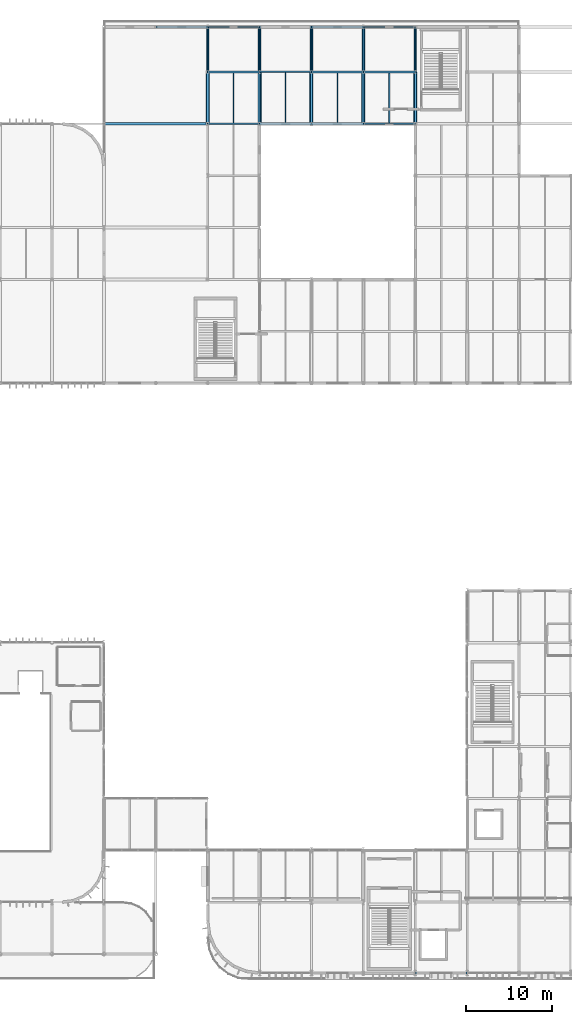
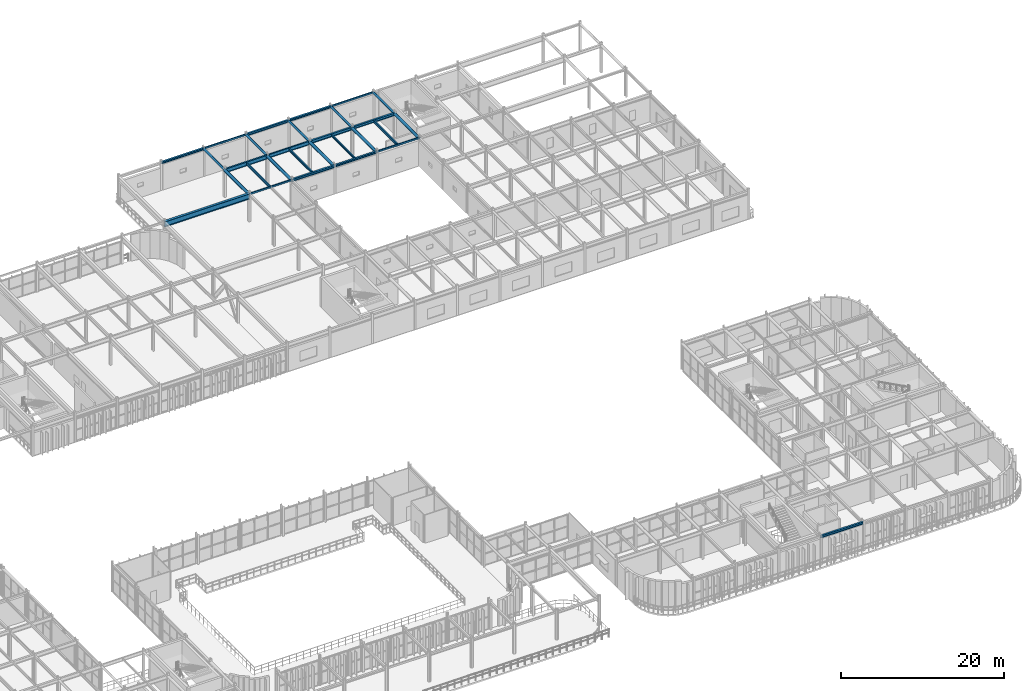
# One storey, part 50 of 96: 29 beams.
"""IFC4 building model written with IfcOpenShell, lengths in metres."""

from ifc_helpers import new_model, si_unit, direction, frame, origin, origin_2d, place, context, subcontext, project, spatial, hollow_rectangle, hollow_circle, i_section, extrude, material, material_profile, profile_set, type_object, element, save


model = new_model("IFC4")

# Units and contexts
model_context = context("Model", 3, precision=1e-05, world=origin(), true_north=direction((0.0, 1.0)))
body_context = subcontext(model_context, "Body", "Model", "MODEL_VIEW")
ifc_project = project(units=[si_unit("LENGTHUNIT", "METRE"), si_unit("AREAUNIT", "SQUARE_METRE"), si_unit("VOLUMEUNIT", "CUBIC_METRE"), si_unit("PLANEANGLEUNIT", "RADIAN"), si_unit("MASSUNIT", "GRAM", prefix="KILO")], contexts=[model_context])

# Site, building, storey
site_placement = place(None, origin())
site = spatial("IfcSite", under=ifc_project, at=site_placement, CompositionType="ELEMENT")
building_placement = place(site_placement, origin())
building = spatial("IfcBuilding", under=site, at=building_placement, Name="Varnakota Square Police Headquarters", CompositionType="ELEMENT")
storey_placement = place(building_placement, frame((0.0, 0.0, 4.800048828125)))
storey = spatial("IfcBuildingStorey", under=building, at=storey_placement, Name="L01", CompositionType="ELEMENT", Elevation=4.800048828125)

# Beams
ifc_material = material(Name="Steel IS 2062 Grade 350", Category="steel")
ifc_material_profile_1 = material_profile(ifc_material, hollow_circle(Radius=0.161865234375, WallThickness=0.0126953125, at=origin_2d()), Name="CHS 323.9x12.7")
ifc_profile_set_1 = profile_set([ifc_material_profile_1], Name="Steel IS 2062 Grade 350")
beam_type_1 = type_object("IfcBeamType", Name="BM-ARC-CHS324", PredefinedType="BEAM", material=ifc_profile_set_1)
for number, where, z_axis, x_axis, name in (
    (1, (108.0, 105.0, 4.0380859375), (0.0, 1.0, 0.0), (-1.0, 0.0, 0.0), "BMG-L01-1685"),
    (2, (114.0, 105.0, 4.0380859375), (0.0, 1.0, 0.0), (-1.0, 0.0, 0.0), "BMG-L01-1694"),
    (3, (120.0, 105.0, 4.0380859375), (0.0, 1.0, 0.0), (-1.0, 0.0, 0.0), "BMG-L01-1700"),
    (4, (126.0, 105.0, 4.0380859375), (0.0, 1.0, 0.0), (-1.0, 0.0, 0.0), "BMG-L01-1706"),
    (5, (132.0, 105.0, 4.0380859375), (0.0, 1.0, 0.0), (-1.0, 0.0, 0.0), "BMG-L01-1715"),
):
    element("IfcBeam", number, at=place(storey_placement, frame(where, z_axis=z_axis, x_axis=x_axis)), inside=storey, type_object=beam_type_1, Name=name, PredefinedType="BEAM", context=body_context, shape_type="SweptSolid", body=[
        extrude(hollow_circle(Radius=0.161865234375, WallThickness=0.0126953125, at=origin_2d()), origin(), (0.0, 0.0, 1.0), 5.199951171875),
    ])
ifc_material_profile_2 = material_profile(ifc_material, hollow_circle(Radius=0.203125, WallThickness=0.01611328125, at=origin_2d()), Name="CHS 406.4x16.0")
ifc_profile_set_2 = profile_set([ifc_material_profile_2], Name="Steel IS 2062 Grade 350")
beam_type_2 = type_object("IfcBeamType", Name="BM-ARC-CHS406", PredefinedType="BEAM", material=ifc_profile_set_2)
for number, where, z_axis, x_axis, name in (
    (6, (108.0, 99.0, 3.996826171875), (0.0, 1.0, 0.0), (-1.0, 0.0, 0.0), "BMG-L01-1684"),
    (7, (114.0, 99.0, 3.996826171875), (0.0, 1.0, 0.0), (-1.0, 0.0, 0.0), "BMG-L01-1693"),
    (8, (120.0, 99.0, 3.996826171875), (0.0, 1.0, 0.0), (-1.0, 0.0, 0.0), "BMG-L01-1699"),
    (9, (126.0, 99.0, 3.996826171875), (0.0, 1.0, 0.0), (-1.0, 0.0, 0.0), "BMG-L01-1705"),
    (10, (132.0, 99.0, 3.996826171875), (0.0, 1.0, 0.0), (-1.0, 0.0, 0.0), "BMG-L01-1714"),
):
    element("IfcBeam", number, at=place(storey_placement, frame(where, z_axis=z_axis, x_axis=x_axis)), inside=storey, type_object=beam_type_2, Name=name, PredefinedType="BEAM", context=body_context, shape_type="SweptSolid", body=[
        extrude(hollow_circle(Radius=0.203125, WallThickness=0.01611328125, at=origin_2d()), origin(), (0.0, 0.0, 1.0), 6.0),
    ])
ifc_material_profile_3 = material_profile(ifc_material, i_section(OverallWidth=0.320068359375, OverallDepth=0.800048828125, WebThickness=0.01611328125, FlangeThickness=0.028076171875, at=origin_2d()), Name="BPG 800x320")
ifc_profile_set_3 = profile_set([ifc_material_profile_3], Name="Steel IS 2062 Grade 350")
beam_type_3 = type_object("IfcBeamType", Name="BM-BPG800", PredefinedType="BEAM", material=ifc_profile_set_3)
beam_1_placement = place(storey_placement, frame((96.0, 99.0, 3.800048828125), z_axis=(1.0, 0.0, 0.0), x_axis=(0.0, 1.0, 0.0)))
element("IfcBeam", 11, at=beam_1_placement, inside=storey, type_object=beam_type_3, Name="BMG-L01-1501", PredefinedType="BEAM", context=body_context, shape_type="SweptSolid", body=[
    extrude(i_section(OverallWidth=0.320068359375, OverallDepth=0.800048828125, WebThickness=0.01611328125, FlangeThickness=0.028076171875, at=origin_2d()), origin(), (0.0, 0.0, 1.0), 12.0),
])
ifc_material_profile_4 = material_profile(ifc_material, hollow_rectangle(XDim=0.14990234375, YDim=0.25, WallThickness=0.010009765625, InnerFilletRadius=0.010009765625, OuterFilletRadius=0.02001953125, at=origin_2d()), Name="RHS 250x150x10")
ifc_profile_set_4 = profile_set([ifc_material_profile_4], Name="Steel IS 2062 Grade 350")
beam_type_4 = type_object("IfcBeamType", Name="BM-CBEAM-RHS250", PredefinedType="BEAM", material=ifc_profile_set_4)
for number, where, z_axis, x_axis, name in (
    (12, (108.0, 99.0, 4.074951171875), (1.0, 0.0, 0.0), (0.0, 1.0, 0.0), "BMG-L01-1502"),
    (13, (126.0, 99.0, 4.074951171875), (1.0, 0.0, 0.0), (0.0, 1.0, 0.0), "BMG-L01-1505"),
    (14, (108.0, 110.199951171875, 4.074951171875), (1.0, 0.0, 0.0), (0.0, 1.0, 0.0), "BMG-L01-1529"),
    (15, (126.0, 110.199951171875, 4.074951171875), (1.0, 0.0, 0.0), (0.0, 1.0, 0.0), "BMG-L01-1532"),
):
    element("IfcBeam", number, at=place(storey_placement, frame(where, z_axis=z_axis, x_axis=x_axis)), inside=storey, type_object=beam_type_4, Name=name, PredefinedType="BEAM", context=body_context, shape_type="SweptSolid", body=[
        extrude(hollow_rectangle(XDim=0.14990234375, YDim=0.25, WallThickness=0.010009765625, InnerFilletRadius=0.010009765625, OuterFilletRadius=0.02001953125, at=origin_2d()), origin(), (0.0, 0.0, 1.0), 6.0),
    ])
ifc_material_profile_5 = material_profile(ifc_material, i_section(OverallWidth=0.25, OverallDepth=0.300048828125, WebThickness=0.009521484375, FlangeThickness=0.010498046875, FilletRadius=0.011962890625, at=origin_2d()), Name="ISHB 300")
ifc_profile_set_5 = profile_set([ifc_material_profile_5], Name="Steel IS 2062 Grade 350")
beam_type_5 = type_object("IfcBeamType", Name="BM-ISHB300", PredefinedType="BEAM", material=ifc_profile_set_5)
for number, where, z_axis, x_axis, name in (
    (16, (120.0, 99.0, 4.050048828125), (1.0, 0.0, 0.0), (0.0, 1.0, 0.0), "BMG-L01-1504"),
    (17, (102.0, 110.199951171875, 4.050048828125), (1.0, 0.0, 0.0), (0.0, 1.0, 0.0), "BMG-L01-1528"),
    (18, (120.0, 110.199951171875, 4.050048828125), (1.0, 0.0, 0.0), (0.0, 1.0, 0.0), "BMG-L01-1531"),
):
    element("IfcBeam", number, at=place(storey_placement, frame(where, z_axis=z_axis, x_axis=x_axis)), inside=storey, type_object=beam_type_5, Name=name, PredefinedType="BEAM", context=body_context, shape_type="SweptSolid", body=[
        extrude(i_section(OverallWidth=0.25, OverallDepth=0.300048828125, WebThickness=0.009521484375, FlangeThickness=0.010498046875, FilletRadius=0.011962890625, at=origin_2d()), origin(), (0.0, 0.0, 1.0), 6.0),
    ])
ifc_material_profile_6 = material_profile(ifc_material, i_section(OverallWidth=0.25, OverallDepth=0.35009765625, WebThickness=0.010009765625, FlangeThickness=0.01171875, FilletRadius=0.011962890625, at=origin_2d()), Name="ISHB 350")
ifc_profile_set_6 = profile_set([ifc_material_profile_6], Name="Steel IS 2062 Grade 350")
beam_type_6 = type_object("IfcBeamType", Name="BM-ISHB350", PredefinedType="BEAM", material=ifc_profile_set_6)
for number, where, z_axis, x_axis, name in (
    (19, (132.0, 0.800048828125, 4.02490234375), (1.0, 0.0, 0.0), (0.0, 1.0, 0.0), "BMG-L01-1310"),
    (20, (114.0, 99.0, 4.02490234375), (1.0, 0.0, 0.0), (0.0, 1.0, 0.0), "BMG-L01-1503"),
    (21, (114.0, 110.199951171875, 4.02490234375), (1.0, 0.0, 0.0), (0.0, 1.0, 0.0), "BMG-L01-1530"),
):
    element("IfcBeam", number, at=place(storey_placement, frame(where, z_axis=z_axis, x_axis=x_axis)), inside=storey, type_object=beam_type_6, Name=name, PredefinedType="BEAM", context=body_context, shape_type="SweptSolid", body=[
        extrude(i_section(OverallWidth=0.25, OverallDepth=0.35009765625, WebThickness=0.010009765625, FlangeThickness=0.01171875, FilletRadius=0.011962890625, at=origin_2d()), origin(), (0.0, 0.0, 1.0), 6.0),
    ])
ifc_material_profile_7 = material_profile(ifc_material, i_section(OverallWidth=0.25, OverallDepth=0.39990234375, WebThickness=0.010498046875, FlangeThickness=0.0126953125, FilletRadius=0.013916015625, at=origin_2d()), Name="ISHB 400")
ifc_profile_set_7 = profile_set([ifc_material_profile_7], Name="Steel IS 2062 Grade 350")
beam_type_7 = type_object("IfcBeamType", Name="BM-ISHB400", PredefinedType="BEAM", material=ifc_profile_set_7)
beam_2_placement = place(storey_placement, frame((126.0, 105.0, 4.0), z_axis=(1.0, 0.0, 0.0), x_axis=(0.0, 1.0, 0.0)))
element("IfcBeam", 22, at=beam_2_placement, inside=storey, type_object=beam_type_7, Name="BMG-L01-1517", PredefinedType="BEAM", context=body_context, shape_type="SweptSolid", body=[
    extrude(i_section(OverallWidth=0.25, OverallDepth=0.39990234375, WebThickness=0.010498046875, FlangeThickness=0.0126953125, FilletRadius=0.013916015625, at=origin_2d()), origin(), (0.0, 0.0, 1.0), 6.0),
])
ifc_material_profile_8 = material_profile(ifc_material, i_section(OverallWidth=0.25, OverallDepth=0.449951171875, WebThickness=0.01123046875, FlangeThickness=0.013671875, FilletRadius=0.014892578125, at=origin_2d()), Name="ISHB 450")
ifc_profile_set_8 = profile_set([ifc_material_profile_8], Name="Steel IS 2062 Grade 350")
beam_type_8 = type_object("IfcBeamType", Name="BM-ISHB450", PredefinedType="BEAM", material=ifc_profile_set_8)
beam_3_placement = place(storey_placement, frame((120.0, 105.0, 3.974853515625), z_axis=(1.0, 0.0, 0.0), x_axis=(0.0, 1.0, 0.0)))
element("IfcBeam", 23, at=beam_3_placement, inside=storey, type_object=beam_type_8, Name="BMG-L01-1516", PredefinedType="BEAM", context=body_context, shape_type="SweptSolid", body=[
    extrude(i_section(OverallWidth=0.25, OverallDepth=0.449951171875, WebThickness=0.01123046875, FlangeThickness=0.013671875, FilletRadius=0.014892578125, at=origin_2d()), origin(), (0.0, 0.0, 1.0), 6.0),
])
ifc_material_profile_9 = material_profile(ifc_material, i_section(OverallWidth=0.139892578125, OverallDepth=0.300048828125, WebThickness=0.0078125, FlangeThickness=0.01318359375, FilletRadius=0.013916015625, at=origin_2d()), Name="ISMB 300")
ifc_profile_set_9 = profile_set([ifc_material_profile_9], Name="Steel IS 2062 Grade 350")
beam_type_9 = type_object("IfcBeamType", Name="BM-ISMB300", PredefinedType="JOIST", material=ifc_profile_set_9)
beam_4_placement = place(storey_placement, frame((123.0, 99.123046875, 4.050048828125), z_axis=(0.0, 1.0, 0.0), x_axis=(-1.0, 0.0, 0.0)))
element("IfcBeam", 24, at=beam_4_placement, inside=storey, type_object=beam_type_9, Name="BMG-L01-1859", PredefinedType="JOIST", context=body_context, shape_type="SweptSolid", body=[
    extrude(i_section(OverallWidth=0.139892578125, OverallDepth=0.300048828125, WebThickness=0.0078125, FlangeThickness=0.01318359375, FilletRadius=0.013916015625, at=origin_2d()), origin(), (0.0, 0.0, 1.0), 5.75390625),
])
ifc_material_profile_10 = material_profile(ifc_material, i_section(OverallWidth=0.139892578125, OverallDepth=0.35009765625, WebThickness=0.008056640625, FlangeThickness=0.01416015625, FilletRadius=0.013916015625, at=origin_2d()), Name="ISMB 350")
ifc_profile_set_10 = profile_set([ifc_material_profile_10], Name="Steel IS 2062 Grade 350")
beam_type_10 = type_object("IfcBeamType", Name="BM-ISMB350", PredefinedType="JOIST", material=ifc_profile_set_10)
beam_5_placement = place(storey_placement, frame((117.0, 99.123046875, 4.02490234375), z_axis=(0.0, 1.0, 0.0), x_axis=(-1.0, 0.0, 0.0)))
element("IfcBeam", 25, at=beam_5_placement, inside=storey, type_object=beam_type_10, Name="BMG-L01-1855", PredefinedType="JOIST", context=body_context, shape_type="SweptSolid", body=[
    extrude(i_section(OverallWidth=0.139892578125, OverallDepth=0.35009765625, WebThickness=0.008056640625, FlangeThickness=0.01416015625, FilletRadius=0.013916015625, at=origin_2d()), origin(), (0.0, 0.0, 1.0), 5.783935546875),
])
ifc_material_profile_11 = material_profile(ifc_material, i_section(OverallWidth=0.139892578125, OverallDepth=0.39990234375, WebThickness=0.0087890625, FlangeThickness=0.01611328125, FilletRadius=0.013916015625, at=origin_2d()), Name="ISMB 400")
ifc_profile_set_11 = profile_set([ifc_material_profile_11], Name="Steel IS 2062 Grade 350")
beam_type_11 = type_object("IfcBeamType", Name="BM-ISMB400", PredefinedType="JOIST", material=ifc_profile_set_11)
beam_6_placement = place(storey_placement, frame((111.0, 99.072998046875, 4.0), z_axis=(0.0, 1.0, 0.0), x_axis=(-1.0, 0.0, 0.0)))
element("IfcBeam", 26, at=beam_6_placement, inside=storey, type_object=beam_type_11, Name="BMG-L01-1851", PredefinedType="JOIST", context=body_context, shape_type="SweptSolid", body=[
    extrude(i_section(OverallWidth=0.139892578125, OverallDepth=0.39990234375, WebThickness=0.0087890625, FlangeThickness=0.01611328125, FilletRadius=0.013916015625, at=origin_2d()), origin(), (0.0, 0.0, 1.0), 5.823974609375),
])
beam_7_placement = place(storey_placement, frame((129.0, 99.072998046875, 4.0), z_axis=(0.0, 1.0, 0.0), x_axis=(-1.0, 0.0, 0.0)))
element("IfcBeam", 27, at=beam_7_placement, inside=storey, type_object=beam_type_11, Name="BMG-L01-1862", PredefinedType="JOIST", context=body_context, shape_type="SweptSolid", body=[
    extrude(i_section(OverallWidth=0.139892578125, OverallDepth=0.39990234375, WebThickness=0.0087890625, FlangeThickness=0.01611328125, FilletRadius=0.013916015625, at=origin_2d()), origin(), (0.0, 0.0, 1.0), 5.803955078125),
])
ifc_material_profile_12 = material_profile(ifc_material, i_section(OverallWidth=0.18994140625, OverallDepth=0.550048828125, WebThickness=0.01123046875, FlangeThickness=0.019287109375, FilletRadius=0.01806640625, at=origin_2d()), Name="ISMB 550")
ifc_profile_set_12 = profile_set([ifc_material_profile_12], Name="Steel IS 2062 Grade 350")
beam_type_12 = type_object("IfcBeamType", Name="BM-ISMB550", PredefinedType="BEAM", material=ifc_profile_set_12)
beam_8_placement = place(storey_placement, frame((114.0, 105.0, 3.925048828125), z_axis=(1.0, 0.0, 0.0), x_axis=(0.0, 1.0, 0.0)))
element("IfcBeam", 28, at=beam_8_placement, inside=storey, type_object=beam_type_12, Name="BMG-L01-1515", PredefinedType="BEAM", context=body_context, shape_type="SweptSolid", body=[
    extrude(i_section(OverallWidth=0.18994140625, OverallDepth=0.550048828125, WebThickness=0.01123046875, FlangeThickness=0.019287109375, FilletRadius=0.01806640625, at=origin_2d()), origin(), (0.0, 0.0, 1.0), 6.0),
])
ifc_material_profile_13 = material_profile(ifc_material, i_section(OverallWidth=0.2099609375, OverallDepth=0.60009765625, WebThickness=0.011962890625, FlangeThickness=0.020751953125, FilletRadius=0.02001953125, at=origin_2d()), Name="ISMB 600")
ifc_profile_set_13 = profile_set([ifc_material_profile_13], Name="Steel IS 2062 Grade 350")
beam_type_13 = type_object("IfcBeamType", Name="BM-ISMB600", PredefinedType="BEAM", material=ifc_profile_set_13)
beam_9_placement = place(storey_placement, frame((108.0, 105.0, 3.89990234375), z_axis=(1.0, 0.0, 0.0), x_axis=(0.0, 1.0, 0.0)))
element("IfcBeam", 29, at=beam_9_placement, inside=storey, type_object=beam_type_13, Name="BMG-L01-1514", PredefinedType="BEAM", context=body_context, shape_type="SweptSolid", body=[
    extrude(i_section(OverallWidth=0.2099609375, OverallDepth=0.60009765625, WebThickness=0.011962890625, FlangeThickness=0.020751953125, FilletRadius=0.02001953125, at=origin_2d()), origin(), (0.0, 0.0, 1.0), 6.0),
])

save(model, "model.ifc")
